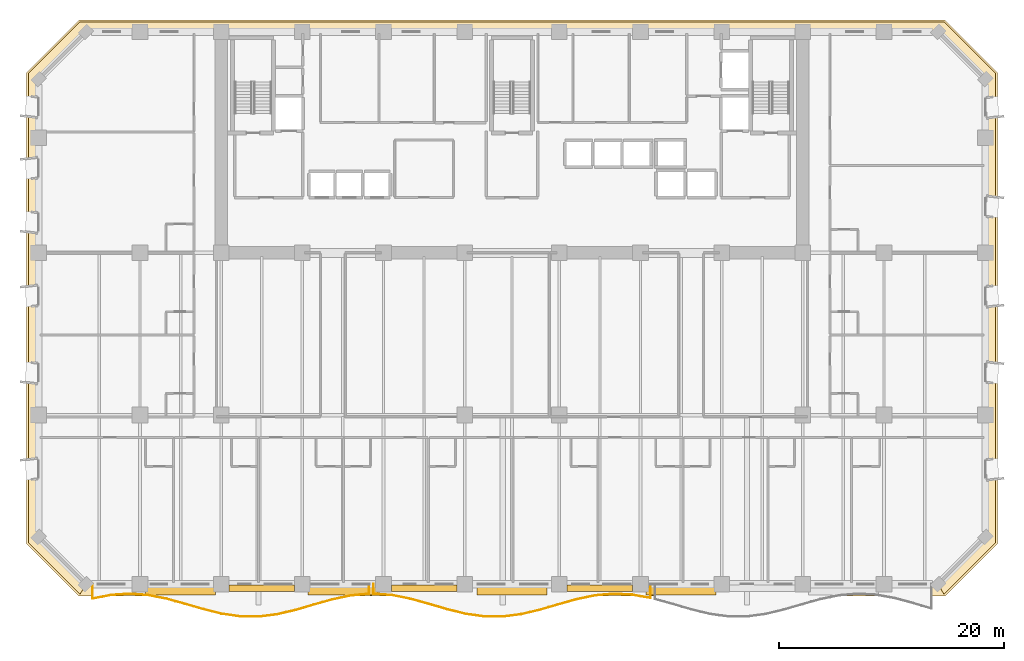
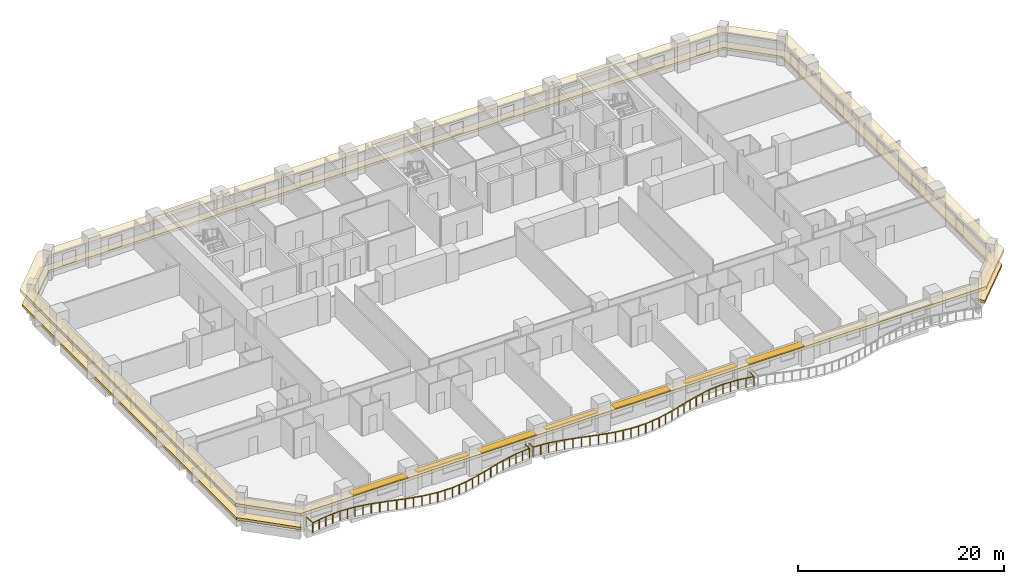
# One storey, part 12 of 15: 7 shading devices, 2 coverings, 2 railings.
"""IFC4 building model written with IfcOpenShell, lengths in metres."""

from ifc_helpers import new_model, si_unit, direction, frame, origin, origin_2d, place, context, subcontext, project, spatial, polyline, rectangle, outline, extrude, material, layer, layer_set, type_object, element, save


model = new_model("IFC4")

# Units and contexts
model_context = context("Model", 3, precision=1e-05, world=origin(), true_north=direction((0.0, 1.0)))
body_context = subcontext(model_context, "Body", "Model", "MODEL_VIEW")
ifc_project = project(units=[si_unit("LENGTHUNIT", "METRE"), si_unit("AREAUNIT", "SQUARE_METRE"), si_unit("VOLUMEUNIT", "CUBIC_METRE"), si_unit("PLANEANGLEUNIT", "RADIAN"), si_unit("MASSUNIT", "GRAM", prefix="KILO")], contexts=[model_context])

# Site, building, storey
site_placement = place(None, origin())
site = spatial("IfcSite", under=ifc_project, at=site_placement, CompositionType="ELEMENT")
building_placement = place(site_placement, origin())
building = spatial("IfcBuilding", under=site, at=building_placement, Name="Kaelvorn Grand Hotel", CompositionType="ELEMENT")
storey_placement = place(building_placement, frame((0.0, 0.0, 65.14990234375)))
storey = spatial("IfcBuildingStorey", under=building, at=storey_placement, Name="L14", CompositionType="ELEMENT", Elevation=65.14990234375)

# Coverings
ifc_material_1 = material(Name="Precast concrete C45/55", Category="concrete")
ifc_layer_1 = layer(ifc_material_1, 0.260009765625)
ifc_layer_set_1 = layer_set([ifc_layer_1], Name="Precast concrete C45/55")
covering_type_1 = type_object("IfcCoveringType", Name="COV-BAND-STREAMLINE-HEAD", PredefinedType="CLADDING", material=ifc_layer_set_1)
covering_1_placement = place(storey_placement, frame((0.0, 0.0, 2.18017578125)))
element("IfcCovering", 1, at=covering_1_placement, inside=storey, type_object=covering_type_1, Name="L14 Streamline Moderne Wraparound Horizontal Eyebrow Band", PredefinedType="CLADDING", context=body_context, shape_type="SweptSolid", body=[
    extrude(outline(polyline([(3.590087890625, -1.050048828125), (80.409912109375, -1.050048828125), (85.050048828125, 3.590087890625), (85.050048828125, 45.409912109375), (80.409912109375, 50.050048828125), (3.590087890625, 50.050048828125), (-1.050048828125, 45.409912109375), (-1.050048828125, 3.590087890625), (3.590087890625, -1.050048828125)]), holes=[polyline([(4.219970703125, 0.030029296875), (79.780029296875, 0.030029296875), (83.969970703125, 4.219970703125), (83.969970703125, 44.780029296875), (79.780029296875, 48.969970703125), (4.219970703125, 48.969970703125), (0.030029296875, 44.780029296875), (0.030029296875, 4.219970703125), (4.219970703125, 0.030029296875)])]), origin(), (0.0, 0.0, 1.0), 0.35986328125),
])
ifc_layer_2 = layer(ifc_material_1, 0.219970703125)
ifc_layer_set_2 = layer_set([ifc_layer_2], Name="Precast concrete C45/55")
covering_type_2 = type_object("IfcCoveringType", Name="COV-BAND-STREAMLINE-SILL", PredefinedType="CLADDING", material=ifc_layer_set_2)
covering_2_placement = place(storey_placement, frame((0.0, 0.0, 0.4501953125)))
element("IfcCovering", 2, at=covering_2_placement, inside=storey, type_object=covering_type_2, Name="L14 Streamline Moderne Wraparound Horizontal Sill Spandrel Band", PredefinedType="CLADDING", context=body_context, shape_type="SweptSolid", body=[
    extrude(outline(polyline([(80.3154296875, -0.8798828125), (84.8798828125, 3.6845703125), (84.8798828125, 45.3154296875), (80.3154296875, 49.8798828125), (3.6845703125, 49.8798828125), (-0.8798828125, 45.3154296875), (-0.8798828125, 3.6845703125), (3.6845703125, -0.8798828125), (4.217529296875, 0.030029296875), (0.030029296875, 4.217529296875), (0.030029296875, 44.782470703125), (4.217529296875, 48.969970703125), (79.782470703125, 48.969970703125), (83.969970703125, 44.782470703125), (83.969970703125, 4.217529296875), (79.782470703125, 0.030029296875), (80.3154296875, -0.8798828125)])), origin(), (0.0, 0.0, 1.0), 0.2998046875),
])

# Railings
ifc_material_2 = material(Name="Stainless Steel", Category="steel")
railing_type = type_object("IfcRailingType", Name="RL-BALC-1150", PredefinedType="BALUSTRADE", material=ifc_material_2)
railing_1_placement = place(storey_placement, frame((4.800048828125, 0.0, 0.0)))
element("IfcRailing", 3, at=railing_1_placement, inside=storey, type_object=railing_type, Name="L14 Scalloped Wave Balcony Balustrade GR1-1", PredefinedType="BALUSTRADE", context=body_context, shape_type="SweptSolid", body=[
    extrude(rectangle(XDim=0.048095703125, YDim=0.048095703125, at=origin_2d()), frame((0.0, 0.0, 1.1259765625), z_axis=(0.0, -1.0, 0.0), x_axis=(1.0, 0.0, 0.0)), (0.0, 0.0, 1.0), 1.2724609375),
    extrude(rectangle(XDim=0.048095703125, YDim=0.048095703125, at=origin_2d()), frame((0.0, -1.2724609375, 1.1259765625), z_axis=(0.982203562984, 0.1878194901, 0.0), x_axis=(-0.1878194901, 0.982203562984, 0.0)), (0.0, 0.0, 1.0), 1.6650390625),
    extrude(rectangle(XDim=0.048095703125, YDim=0.048095703125, at=origin_2d()), frame((1.635498046875, -0.959716796875, 1.1259765625), z_axis=(0.997761369143, 0.066874885019, 0.0), x_axis=(-0.066874885019, 0.997761369143, 0.0)), (0.0, 0.0, 1.0), 1.63916015625),
    extrude(rectangle(XDim=0.048095703125, YDim=0.048095703125, at=origin_2d()), frame((3.27099609375, -0.85009765625, 1.1259765625), z_axis=(0.997411632493, -0.071902957984, 0.0), x_axis=(0.071902957984, 0.997411632493, 0.0)), (0.0, 0.0, 1.0), 1.639892578125),
    extrude(rectangle(XDim=0.048095703125, YDim=0.048095703125, at=origin_2d()), frame((4.90673828125, -0.968017578125, 1.1259765625), z_axis=(0.981438838615, -0.191775405247, 0.0), x_axis=(0.191775405247, 0.981438838615, 0.0)), (0.0, 0.0, 1.0), 1.66650390625),
    extrude(rectangle(XDim=0.048095703125, YDim=0.048095703125, at=origin_2d()), frame((6.542236328125, -1.28759765625, 1.1259765625), z_axis=(0.96417686915, -0.265260183586, 0.0), x_axis=(0.265260183586, 0.96417686915, 0.0)), (0.0, 0.0, 1.0), 1.6962890625),
    extrude(rectangle(XDim=0.048095703125, YDim=0.048095703125, at=origin_2d()), frame((8.177734375, -1.737548828125, 1.1259765625), z_axis=(0.959454398454, -0.281863898516, 0.0), x_axis=(0.281863898516, 0.959454398454, 0.0)), (0.0, 0.0, 1.0), 1.70458984375),
    extrude(rectangle(XDim=0.048095703125, YDim=0.048095703125, at=origin_2d()), frame((9.813232421875, -2.218017578125, 1.1259765625), z_axis=(0.970778455787, -0.239977477651, 0.0), x_axis=(0.239977477651, 0.970778455787, 0.0)), (0.0, 0.0, 1.0), 1.684814453125),
    extrude(rectangle(XDim=0.048095703125, YDim=0.048095703125, at=origin_2d()), frame((11.44873046875, -2.622314453125, 1.1259765625), z_axis=(0.98955581649, -0.144150220432, 0.0), x_axis=(0.144150220432, 0.98955581649, 0.0)), (0.0, 0.0, 1.0), 1.653076171875),
    extrude(rectangle(XDim=0.048095703125, YDim=0.048095703125, at=origin_2d()), frame((13.08447265625, -2.860595703125, 1.1259765625), z_axis=(0.999928700978, -0.011941229449, 0.0), x_axis=(0.011941229449, 0.999928700978, 0.0)), (0.0, 0.0, 1.0), 1.635498046875),
    extrude(rectangle(XDim=0.048095703125, YDim=0.048095703125, at=origin_2d()), frame((14.719970703125, -2.880126953125, 1.1259765625), z_axis=(0.992302924099, 0.123834190856, 0.0), x_axis=(-0.123834190856, 0.992302924099, 0.0)), (0.0, 0.0, 1.0), 1.648193359375),
    extrude(rectangle(XDim=0.048095703125, YDim=0.048095703125, at=origin_2d()), frame((16.35546875, -2.676025390625, 1.1259765625), z_axis=(0.973844426508, 0.227215829024, 0.0), x_axis=(-0.227215829024, 0.973844426508, 0.0)), (0.0, 0.0, 1.0), 1.679443359375),
    extrude(rectangle(XDim=0.048095703125, YDim=0.048095703125, at=origin_2d()), frame((17.990966796875, -2.29443359375, 1.1259765625), z_axis=(0.960314032901, 0.278921060899, 0.0), x_axis=(-0.278921060899, 0.960314032901, 0.0)), (0.0, 0.0, 1.0), 1.703369140625),
    extrude(rectangle(XDim=0.048095703125, YDim=0.048095703125, at=origin_2d()), frame((19.626708984375, -1.8193359375, 1.1259765625), z_axis=(0.962241545122, 0.272197003733, 0.0), x_axis=(-0.272197003733, 0.962241545122, 0.0)), (0.0, 0.0, 1.0), 1.69970703125),
    extrude(rectangle(XDim=0.048095703125, YDim=0.048095703125, at=origin_2d()), frame((21.26220703125, -1.356689453125, 1.1259765625), z_axis=(0.978174805455, 0.207783661466, 0.0), x_axis=(-0.207783661466, 0.978174805455, 0.0)), (0.0, 0.0, 1.0), 1.671875),
    extrude(rectangle(XDim=0.048095703125, YDim=0.048095703125, at=origin_2d()), frame((22.897705078125, -1.00927734375, 1.1259765625), z_axis=(0.995523480824, 0.09451454453, 0.0), x_axis=(-0.09451454453, 0.995523480824, 0.0)), (0.0, 0.0, 1.0), 1.642822265625),
    extrude(rectangle(XDim=0.048095703125, YDim=0.048095703125, at=origin_2d()), frame((24.533203125, -0.85400390625, 1.1259765625), z_axis=(0.0, 1.0, 0.0), x_axis=(-1.0, 0.0, 0.0)), (0.0, 0.0, 1.0), 0.85400390625),
    extrude(rectangle(XDim=0.0419921875, YDim=0.0419921875, at=origin_2d()), origin(), (0.0, 0.0, 1.0), 1.101806640625),
    extrude(rectangle(XDim=0.0419921875, YDim=0.0419921875, at=origin_2d()), frame((0.0, -1.2724609375, 0.0)), (0.0, 0.0, 1.0), 1.101806640625),
    extrude(rectangle(XDim=0.0419921875, YDim=0.0419921875, at=origin_2d()), frame((0.81787109375, -1.1162109375, 0.0)), (0.0, 0.0, 1.0), 1.101806640625),
    extrude(rectangle(XDim=0.0419921875, YDim=0.0419921875, at=origin_2d()), frame((1.635498046875, -0.959716796875, 0.0)), (0.0, 0.0, 1.0), 1.101806640625),
    extrude(rectangle(XDim=0.0419921875, YDim=0.0419921875, at=origin_2d()), frame((2.453125, -0.90478515625, 0.0)), (0.0, 0.0, 1.0), 1.101806640625),
    extrude(rectangle(XDim=0.0419921875, YDim=0.0419921875, at=origin_2d()), frame((3.27099609375, -0.85009765625, 0.0)), (0.0, 0.0, 1.0), 1.101806640625),
    extrude(rectangle(XDim=0.0419921875, YDim=0.0419921875, at=origin_2d()), frame((4.0888671875, -0.9091796875, 0.0)), (0.0, 0.0, 1.0), 1.101806640625),
    extrude(rectangle(XDim=0.0419921875, YDim=0.0419921875, at=origin_2d()), frame((4.90673828125, -0.968017578125, 0.0)), (0.0, 0.0, 1.0), 1.101806640625),
    extrude(rectangle(XDim=0.0419921875, YDim=0.0419921875, at=origin_2d()), frame((5.724609375, -1.1279296875, 0.0)), (0.0, 0.0, 1.0), 1.101806640625),
    extrude(rectangle(XDim=0.0419921875, YDim=0.0419921875, at=origin_2d()), frame((6.542236328125, -1.28759765625, 0.0)), (0.0, 0.0, 1.0), 1.101806640625),
    extrude(rectangle(XDim=0.0419921875, YDim=0.0419921875, at=origin_2d()), frame((7.35986328125, -1.5126953125, 0.0)), (0.0, 0.0, 1.0), 1.101806640625),
    extrude(rectangle(XDim=0.0419921875, YDim=0.0419921875, at=origin_2d()), frame((8.177734375, -1.737548828125, 0.0)), (0.0, 0.0, 1.0), 1.101806640625),
    extrude(rectangle(XDim=0.0419921875, YDim=0.0419921875, at=origin_2d()), frame((8.99560546875, -1.977783203125, 0.0)), (0.0, 0.0, 1.0), 1.101806640625),
    extrude(rectangle(XDim=0.0419921875, YDim=0.0419921875, at=origin_2d()), frame((9.813232421875, -2.218017578125, 0.0)), (0.0, 0.0, 1.0), 1.101806640625),
    extrude(rectangle(XDim=0.0419921875, YDim=0.0419921875, at=origin_2d()), frame((10.630859375, -2.420166015625, 0.0)), (0.0, 0.0, 1.0), 1.101806640625),
    extrude(rectangle(XDim=0.0419921875, YDim=0.0419921875, at=origin_2d()), frame((11.44873046875, -2.622314453125, 0.0)), (0.0, 0.0, 1.0), 1.101806640625),
    extrude(rectangle(XDim=0.0419921875, YDim=0.0419921875, at=origin_2d()), frame((12.2666015625, -2.741455078125, 0.0)), (0.0, 0.0, 1.0), 1.101806640625),
    extrude(rectangle(XDim=0.0419921875, YDim=0.0419921875, at=origin_2d()), frame((13.08447265625, -2.860595703125, 0.0)), (0.0, 0.0, 1.0), 1.101806640625),
    extrude(rectangle(XDim=0.0419921875, YDim=0.0419921875, at=origin_2d()), frame((13.90234375, -2.870361328125, 0.0)), (0.0, 0.0, 1.0), 1.101806640625),
    extrude(rectangle(XDim=0.0419921875, YDim=0.0419921875, at=origin_2d()), frame((14.719970703125, -2.880126953125, 0.0)), (0.0, 0.0, 1.0), 1.101806640625),
    extrude(rectangle(XDim=0.0419921875, YDim=0.0419921875, at=origin_2d()), frame((15.53759765625, -2.778076171875, 0.0)), (0.0, 0.0, 1.0), 1.101806640625),
    extrude(rectangle(XDim=0.0419921875, YDim=0.0419921875, at=origin_2d()), frame((16.35546875, -2.676025390625, 0.0)), (0.0, 0.0, 1.0), 1.101806640625),
    extrude(rectangle(XDim=0.0419921875, YDim=0.0419921875, at=origin_2d()), frame((17.17333984375, -2.4853515625, 0.0)), (0.0, 0.0, 1.0), 1.101806640625),
    extrude(rectangle(XDim=0.0419921875, YDim=0.0419921875, at=origin_2d()), frame((17.990966796875, -2.29443359375, 0.0)), (0.0, 0.0, 1.0), 1.101806640625),
    extrude(rectangle(XDim=0.0419921875, YDim=0.0419921875, at=origin_2d()), frame((18.808837890625, -2.056884765625, 0.0)), (0.0, 0.0, 1.0), 1.101806640625),
    extrude(rectangle(XDim=0.0419921875, YDim=0.0419921875, at=origin_2d()), frame((19.626708984375, -1.8193359375, 0.0)), (0.0, 0.0, 1.0), 1.101806640625),
    extrude(rectangle(XDim=0.0419921875, YDim=0.0419921875, at=origin_2d()), frame((20.4443359375, -1.587890625, 0.0)), (0.0, 0.0, 1.0), 1.101806640625),
    extrude(rectangle(XDim=0.0419921875, YDim=0.0419921875, at=origin_2d()), frame((21.26220703125, -1.356689453125, 0.0)), (0.0, 0.0, 1.0), 1.101806640625),
    extrude(rectangle(XDim=0.0419921875, YDim=0.0419921875, at=origin_2d()), frame((22.080078125, -1.18310546875, 0.0)), (0.0, 0.0, 1.0), 1.101806640625),
    extrude(rectangle(XDim=0.0419921875, YDim=0.0419921875, at=origin_2d()), frame((22.897705078125, -1.00927734375, 0.0)), (0.0, 0.0, 1.0), 1.101806640625),
    extrude(rectangle(XDim=0.0419921875, YDim=0.0419921875, at=origin_2d()), frame((23.71533203125, -0.931640625, 0.0)), (0.0, 0.0, 1.0), 1.101806640625),
    extrude(rectangle(XDim=0.0419921875, YDim=0.0419921875, at=origin_2d()), frame((24.533203125, -0.85400390625, 0.0)), (0.0, 0.0, 1.0), 1.101806640625),
    extrude(rectangle(XDim=0.0419921875, YDim=0.0419921875, at=origin_2d()), frame((24.533203125, 0.0, 0.0)), (0.0, 0.0, 1.0), 1.101806640625),
])
railing_2_placement = place(storey_placement, frame((29.7333984375, 0.0, 0.0)))
element("IfcRailing", 4, at=railing_2_placement, inside=storey, type_object=railing_type, Name="L14 Scalloped Wave Balcony Balustrade GR1-2", PredefinedType="BALUSTRADE", context=body_context, shape_type="SweptSolid", body=[
    extrude(rectangle(XDim=0.048095703125, YDim=0.048095703125, at=origin_2d()), frame((0.0, 0.0, 1.1259765625), z_axis=(0.0, -1.0, 0.0), x_axis=(1.0, 0.0, 0.0)), (0.0, 0.0, 1.0), 0.850341796875),
    extrude(rectangle(XDim=0.048095703125, YDim=0.048095703125, at=origin_2d()), frame((0.0, -0.850341796875, 1.1259765625), z_axis=(0.997023764101, -0.077094836514, 0.0), x_axis=(0.077094836514, 0.997023764101, 0.0)), (0.0, 0.0, 1.0), 1.640380859375),
    extrude(rectangle(XDim=0.048095703125, YDim=0.048095703125, at=origin_2d()), frame((1.635498046875, -0.976806640625, 1.1259765625), z_axis=(0.980687509387, -0.195581208022, 0.0), x_axis=(0.195581208022, 0.980687509387, 0.0)), (0.0, 0.0, 1.0), 1.667724609375),
    extrude(rectangle(XDim=0.048095703125, YDim=0.048095703125, at=origin_2d()), frame((3.27099609375, -1.302978515625, 1.1259765625), z_axis=(0.963696999215, -0.266998302813, 0.0), x_axis=(0.266998302813, 0.963696999215, 0.0)), (0.0, 0.0, 1.0), 1.697021484375),
    extrude(rectangle(XDim=0.048095703125, YDim=0.048095703125, at=origin_2d()), frame((4.906494140625, -1.756103515625, 1.1259765625), z_axis=(0.959620545058, -0.281297723954, 0.0), x_axis=(0.281297723954, 0.959620545058, 0.0)), (0.0, 0.0, 1.0), 1.70458984375),
    extrude(rectangle(XDim=0.048095703125, YDim=0.048095703125, at=origin_2d()), frame((6.542236328125, -2.235595703125, 1.1259765625), z_axis=(0.971450272651, -0.237243267063, 0.0), x_axis=(0.237243267063, 0.971450272651, 0.0)), (0.0, 0.0, 1.0), 1.68359375),
    extrude(rectangle(XDim=0.048095703125, YDim=0.048095703125, at=origin_2d()), frame((8.177734375, -2.635009765625, 1.1259765625), z_axis=(0.990216726889, -0.139537929569, 0.0), x_axis=(0.139537929569, 0.990216726889, 0.0)), (0.0, 0.0, 1.0), 1.651611328125),
    extrude(rectangle(XDim=0.048095703125, YDim=0.048095703125, at=origin_2d()), frame((9.813232421875, -2.865478515625, 1.1259765625), z_axis=(0.999978430437, -0.006568002827, 0.0), x_axis=(0.006568002827, 0.999978430437, 0.0)), (0.0, 0.0, 1.0), 1.635498046875),
    extrude(rectangle(XDim=0.048095703125, YDim=0.048095703125, at=origin_2d()), frame((11.44873046875, -2.876220703125, 1.1259765625), z_axis=(0.991731137416, 0.128332969573, 0.0), x_axis=(-0.128332969573, 0.991731137416, 0.0)), (0.0, 0.0, 1.0), 1.6494140625),
    extrude(rectangle(XDim=0.048095703125, YDim=0.048095703125, at=origin_2d()), frame((13.08447265625, -2.66455078125, 1.1259765625), z_axis=(0.973100001254, 0.230383132108, 0.0), x_axis=(-0.230383132108, 0.973100001254, 0.0)), (0.0, 0.0, 1.0), 1.6806640625),
    extrude(rectangle(XDim=0.048095703125, YDim=0.048095703125, at=origin_2d()), frame((14.719970703125, -2.27734375, 1.1259765625), z_axis=(0.960072199194, 0.27975234107, 0.0), x_axis=(-0.27975234107, 0.960072199194, 0.0)), (0.0, 0.0, 1.0), 1.70361328125),
    extrude(rectangle(XDim=0.048095703125, YDim=0.048095703125, at=origin_2d()), frame((16.35546875, -1.80078125, 1.1259765625), z_axis=(0.962654451324, 0.270733092446, 0.0), x_axis=(-0.270733092446, 0.962654451324, 0.0)), (0.0, 0.0, 1.0), 1.698974609375),
    extrude(rectangle(XDim=0.048095703125, YDim=0.048095703125, at=origin_2d()), frame((17.990966796875, -1.3408203125, 1.1259765625), z_axis=(0.97891716502, 0.204257641298, 0.0), x_axis=(-0.204257641298, 0.97891716502, 0.0)), (0.0, 0.0, 1.0), 1.6708984375),
    extrude(rectangle(XDim=0.048095703125, YDim=0.048095703125, at=origin_2d()), frame((19.626708984375, -0.99951171875, 1.1259765625), z_axis=(0.9959865086, 0.089503489801, 0.0), x_axis=(-0.089503489801, 0.9959865086, 0.0)), (0.0, 0.0, 1.0), 1.64208984375),
    extrude(rectangle(XDim=0.048095703125, YDim=0.048095703125, at=origin_2d()), frame((21.26220703125, -0.8525390625, 1.1259765625), z_axis=(0.998796192394, -0.049052686565, 0.0), x_axis=(0.049052686565, 0.998796192394, 0.0)), (0.0, 0.0, 1.0), 1.637451171875),
    extrude(rectangle(XDim=0.048095703125, YDim=0.048095703125, at=origin_2d()), frame((22.897705078125, -0.932861328125, 1.1259765625), z_axis=(0.984712445929, -0.174187826306, 0.0), x_axis=(0.174187826306, 0.984712445929, 0.0)), (0.0, 0.0, 1.0), 1.660888671875),
    extrude(rectangle(XDim=0.048095703125, YDim=0.048095703125, at=origin_2d()), frame((24.533203125, -1.22216796875, 1.1259765625), z_axis=(0.0, 1.0, 0.0), x_axis=(-1.0, 0.0, 0.0)), (0.0, 0.0, 1.0), 1.22216796875),
    extrude(rectangle(XDim=0.0419921875, YDim=0.0419921875, at=origin_2d()), origin(), (0.0, 0.0, 1.0), 1.101806640625),
    extrude(rectangle(XDim=0.0419921875, YDim=0.0419921875, at=origin_2d()), frame((0.0, -0.850341796875, 0.0)), (0.0, 0.0, 1.0), 1.101806640625),
    extrude(rectangle(XDim=0.0419921875, YDim=0.0419921875, at=origin_2d()), frame((0.81787109375, -0.91357421875, 0.0)), (0.0, 0.0, 1.0), 1.101806640625),
    extrude(rectangle(XDim=0.0419921875, YDim=0.0419921875, at=origin_2d()), frame((1.635498046875, -0.976806640625, 0.0)), (0.0, 0.0, 1.0), 1.101806640625),
    extrude(rectangle(XDim=0.0419921875, YDim=0.0419921875, at=origin_2d()), frame((2.453125, -1.139892578125, 0.0)), (0.0, 0.0, 1.0), 1.101806640625),
    extrude(rectangle(XDim=0.0419921875, YDim=0.0419921875, at=origin_2d()), frame((3.27099609375, -1.302978515625, 0.0)), (0.0, 0.0, 1.0), 1.101806640625),
    extrude(rectangle(XDim=0.0419921875, YDim=0.0419921875, at=origin_2d()), frame((4.0888671875, -1.529541015625, 0.0)), (0.0, 0.0, 1.0), 1.101806640625),
    extrude(rectangle(XDim=0.0419921875, YDim=0.0419921875, at=origin_2d()), frame((4.906494140625, -1.756103515625, 0.0)), (0.0, 0.0, 1.0), 1.101806640625),
    extrude(rectangle(XDim=0.0419921875, YDim=0.0419921875, at=origin_2d()), frame((5.724365234375, -1.995849609375, 0.0)), (0.0, 0.0, 1.0), 1.101806640625),
    extrude(rectangle(XDim=0.0419921875, YDim=0.0419921875, at=origin_2d()), frame((6.542236328125, -2.235595703125, 0.0)), (0.0, 0.0, 1.0), 1.101806640625),
    extrude(rectangle(XDim=0.0419921875, YDim=0.0419921875, at=origin_2d()), frame((7.35986328125, -2.435302734375, 0.0)), (0.0, 0.0, 1.0), 1.101806640625),
    extrude(rectangle(XDim=0.0419921875, YDim=0.0419921875, at=origin_2d()), frame((8.177734375, -2.635009765625, 0.0)), (0.0, 0.0, 1.0), 1.101806640625),
    extrude(rectangle(XDim=0.0419921875, YDim=0.0419921875, at=origin_2d()), frame((8.99560546875, -2.750244140625, 0.0)), (0.0, 0.0, 1.0), 1.101806640625),
    extrude(rectangle(XDim=0.0419921875, YDim=0.0419921875, at=origin_2d()), frame((9.813232421875, -2.865478515625, 0.0)), (0.0, 0.0, 1.0), 1.101806640625),
    extrude(rectangle(XDim=0.0419921875, YDim=0.0419921875, at=origin_2d()), frame((10.630859375, -2.870849609375, 0.0)), (0.0, 0.0, 1.0), 1.101806640625),
    extrude(rectangle(XDim=0.0419921875, YDim=0.0419921875, at=origin_2d()), frame((11.44873046875, -2.876220703125, 0.0)), (0.0, 0.0, 1.0), 1.101806640625),
    extrude(rectangle(XDim=0.0419921875, YDim=0.0419921875, at=origin_2d()), frame((12.2666015625, -2.7705078125, 0.0)), (0.0, 0.0, 1.0), 1.101806640625),
    extrude(rectangle(XDim=0.0419921875, YDim=0.0419921875, at=origin_2d()), frame((13.08447265625, -2.66455078125, 0.0)), (0.0, 0.0, 1.0), 1.101806640625),
    extrude(rectangle(XDim=0.0419921875, YDim=0.0419921875, at=origin_2d()), frame((13.90234375, -2.470947265625, 0.0)), (0.0, 0.0, 1.0), 1.101806640625),
    extrude(rectangle(XDim=0.0419921875, YDim=0.0419921875, at=origin_2d()), frame((14.719970703125, -2.27734375, 0.0)), (0.0, 0.0, 1.0), 1.101806640625),
    extrude(rectangle(XDim=0.0419921875, YDim=0.0419921875, at=origin_2d()), frame((15.53759765625, -2.0390625, 0.0)), (0.0, 0.0, 1.0), 1.101806640625),
    extrude(rectangle(XDim=0.0419921875, YDim=0.0419921875, at=origin_2d()), frame((16.35546875, -1.80078125, 0.0)), (0.0, 0.0, 1.0), 1.101806640625),
    extrude(rectangle(XDim=0.0419921875, YDim=0.0419921875, at=origin_2d()), frame((17.17333984375, -1.57080078125, 0.0)), (0.0, 0.0, 1.0), 1.101806640625),
    extrude(rectangle(XDim=0.0419921875, YDim=0.0419921875, at=origin_2d()), frame((17.990966796875, -1.3408203125, 0.0)), (0.0, 0.0, 1.0), 1.101806640625),
    extrude(rectangle(XDim=0.0419921875, YDim=0.0419921875, at=origin_2d()), frame((18.808837890625, -1.170166015625, 0.0)), (0.0, 0.0, 1.0), 1.101806640625),
    extrude(rectangle(XDim=0.0419921875, YDim=0.0419921875, at=origin_2d()), frame((19.626708984375, -0.99951171875, 0.0)), (0.0, 0.0, 1.0), 1.101806640625),
    extrude(rectangle(XDim=0.0419921875, YDim=0.0419921875, at=origin_2d()), frame((20.4443359375, -0.926025390625, 0.0)), (0.0, 0.0, 1.0), 1.101806640625),
    extrude(rectangle(XDim=0.0419921875, YDim=0.0419921875, at=origin_2d()), frame((21.26220703125, -0.8525390625, 0.0)), (0.0, 0.0, 1.0), 1.101806640625),
    extrude(rectangle(XDim=0.0419921875, YDim=0.0419921875, at=origin_2d()), frame((22.080078125, -0.892578125, 0.0)), (0.0, 0.0, 1.0), 1.101806640625),
    extrude(rectangle(XDim=0.0419921875, YDim=0.0419921875, at=origin_2d()), frame((22.897705078125, -0.932861328125, 0.0)), (0.0, 0.0, 1.0), 1.101806640625),
    extrude(rectangle(XDim=0.0419921875, YDim=0.0419921875, at=origin_2d()), frame((23.71533203125, -1.07763671875, 0.0)), (0.0, 0.0, 1.0), 1.101806640625),
    extrude(rectangle(XDim=0.0419921875, YDim=0.0419921875, at=origin_2d()), frame((24.533203125, -1.22216796875, 0.0)), (0.0, 0.0, 1.0), 1.101806640625),
    extrude(rectangle(XDim=0.0419921875, YDim=0.0419921875, at=origin_2d()), frame((24.533203125, 0.0, 0.0)), (0.0, 0.0, 1.0), 1.101806640625),
])

# Shading devices
ifc_layer_3 = layer(ifc_material_1, 0.1201171875)
ifc_layer_set_3 = layer_set([ifc_layer_3], Name="Precast concrete C45/55")
shading_device_type_1 = type_object("IfcShadingDeviceType", Name="SHD-SUNSHADE-550", PredefinedType="USERDEFINED", material=ifc_layer_set_3)
for number, where, z_axis, x_axis, name in (
    (5, (19.800048828125, -0.364990234375, 2.419921875), (0.0, 0.0, 1.0), (1.0, 0.0, 0.0), "L14 Horizontal Concrete Sunshade Band SS-03"),
    (6, (34.199951171875, -0.364990234375, 2.419921875), (0.0, 0.0, 1.0), (1.0, 0.0, 0.0), "L14 Horizontal Concrete Sunshade Band SS-05"),
    (7, (49.800048828125, -0.364990234375, 2.419921875), (0.0, 0.0, 1.0), (1.0, 0.0, 0.0), "L14 Horizontal Concrete Sunshade Band SS-07"),
):
    element("IfcShadingDevice", number, at=place(storey_placement, frame(where, z_axis=z_axis, x_axis=x_axis)), inside=storey, type_object=shading_device_type_1, Name=name, ObjectType="SUNSHADE", PredefinedType="USERDEFINED", context=body_context, shape_type="SweptSolid", body=[
        extrude(rectangle(XDim=5.800048828125, YDim=0.550048828125, at=origin_2d()), origin(), (0.0, 0.0, 1.0), 0.1201171875),
    ])
ifc_layer_4 = layer(ifc_material_1, 0.139892578125)
ifc_layer_set_4 = layer_set([ifc_layer_4], Name="Precast concrete C45/55")
shading_device_type_2 = type_object("IfcShadingDeviceType", Name="SHD-SUNSHADE-850", PredefinedType="USERDEFINED", material=ifc_layer_set_4)
for number, where, z_axis, x_axis, name in (
    (8, (12.60009765625, -0.514892578125, 2.41015625), (0.0, 0.0, 1.0), (1.0, 0.0, 0.0), "L14 Horizontal Concrete Sunshade Band SS-02"),
    (9, (27.0, -0.514892578125, 2.41015625), (0.0, 0.0, 1.0), (1.0, 0.0, 0.0), "L14 Horizontal Concrete Sunshade Band SS-04"),
    (10, (42.0, -0.514892578125, 2.41015625), (0.0, 0.0, 1.0), (1.0, 0.0, 0.0), "L14 Horizontal Concrete Sunshade Band SS-06"),
    (11, (57.0, -0.514892578125, 2.41015625), (0.0, 0.0, 1.0), (1.0, 0.0, 0.0), "L14 Horizontal Concrete Sunshade Band SS-08"),
):
    element("IfcShadingDevice", number, at=place(storey_placement, frame(where, z_axis=z_axis, x_axis=x_axis)), inside=storey, type_object=shading_device_type_2, Name=name, ObjectType="SUNSHADE", PredefinedType="USERDEFINED", context=body_context, shape_type="SweptSolid", body=[
        extrude(rectangle(XDim=6.199951171875, YDim=0.85009765625, at=origin_2d()), origin(), (0.0, 0.0, 1.0), 0.139892578125),
    ])

save(model, "model.ifc")
